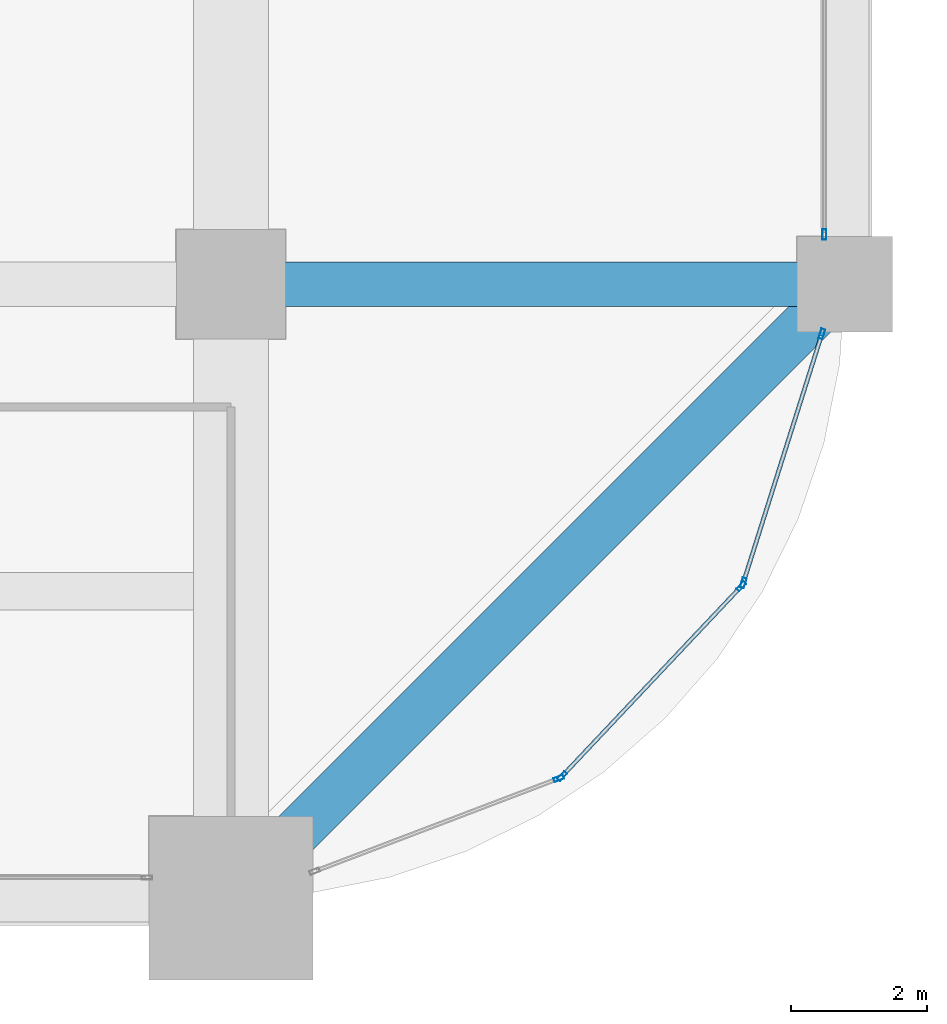
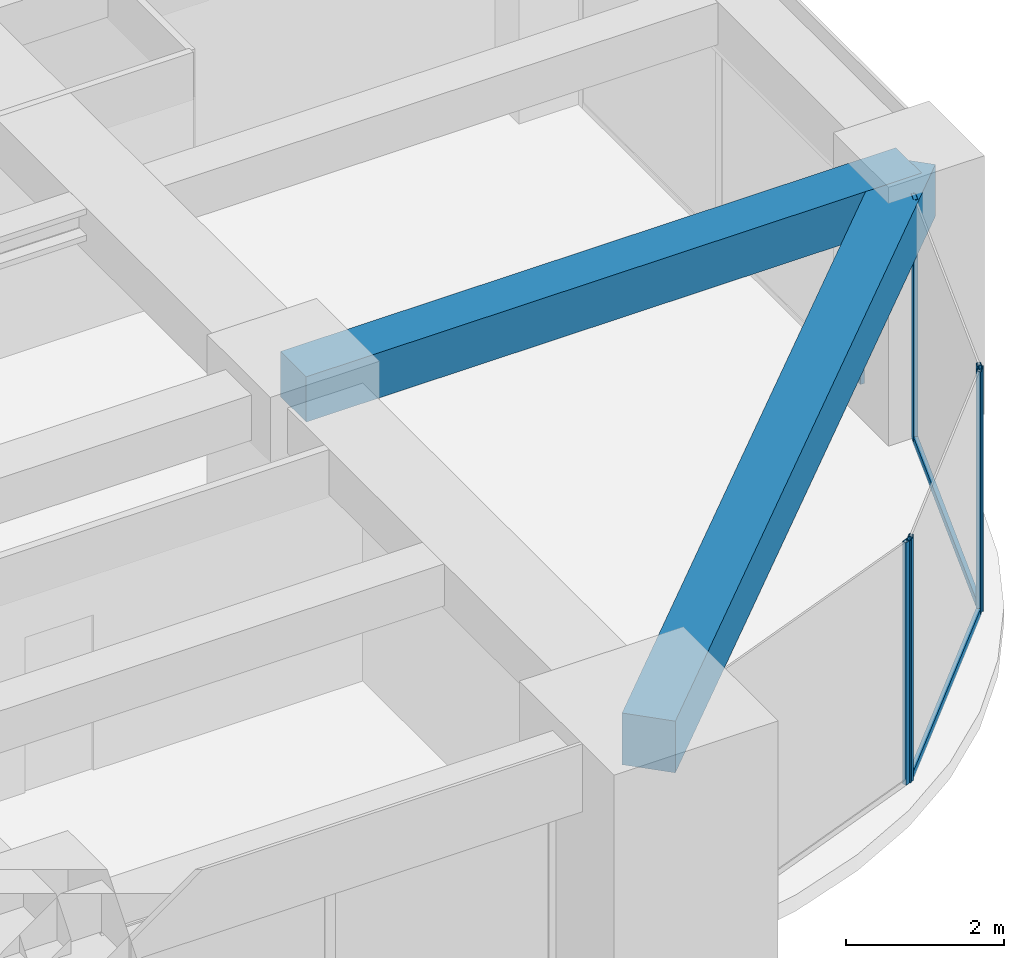
# One storey, part 16 of 34: 8 members, 2 beams, 4 elements without a shape of their own.
"""IFC4 building model written with IfcOpenShell, lengths in metres."""

from ifc_helpers import new_model, si_unit, direction, frame, origin, origin_2d, place, context, subcontext, project, spatial, rectangle, hollow_rectangle, extrude, material, material_profile, profile_set, type_object, element, aggregate, save


model = new_model("IFC4")

# Units and contexts
model_context = context("Model", 3, precision=1e-05, world=origin(), true_north=direction((0.0, 1.0)))
body_context = subcontext(model_context, "Body", "Model", "MODEL_VIEW")
ifc_project = project(units=[si_unit("LENGTHUNIT", "METRE"), si_unit("AREAUNIT", "SQUARE_METRE"), si_unit("VOLUMEUNIT", "CUBIC_METRE"), si_unit("PLANEANGLEUNIT", "RADIAN"), si_unit("MASSUNIT", "GRAM", prefix="KILO")], contexts=[model_context])

# Site, building, storey
site_placement = place(None, origin())
site = spatial("IfcSite", under=ifc_project, at=site_placement, CompositionType="ELEMENT")
building_placement = place(site_placement, origin())
building = spatial("IfcBuilding", under=site, at=building_placement, Name="Zorevar Civic Tower", CompositionType="ELEMENT")
storey_placement = place(building_placement, frame((0.0, 0.0, 170.199951171875)))
storey = spatial("IfcBuildingStorey", under=building, at=storey_placement, Name="L41", CompositionType="ELEMENT", Elevation=170.199951171875)

# Beam
ifc_material_1 = material(Name="Concrete C50/60", Category="concrete")
ifc_material_profile_1 = material_profile(ifc_material_1, rectangle(XDim=0.64990234375, YDim=0.699951171875, at=origin_2d()), Name="RC 650x700")
ifc_profile_set_1 = profile_set([ifc_material_profile_1], Name="Concrete C50/60")
beam_type_1 = type_object("IfcBeamType", Name="Beam RC 650x700", PredefinedType="BEAM", material=ifc_profile_set_1)
beam_1_placement = place(storey_placement, frame((45.0, 9.0, 3.400146484375), z_axis=(1.0, 0.0, 0.0), x_axis=(0.0, 1.0, 0.0)))
element("IfcBeam", 1, at=beam_1_placement, inside=storey, type_object=beam_type_1, Name="Girder L42", PredefinedType="BEAM", context=body_context, shape_type="SweptSolid", body=[
    extrude(rectangle(XDim=0.64990234375, YDim=0.699951171875, at=origin_2d()), origin(), (0.0, 0.0, 1.0), 9.0),
])

# Curtain wall, member
ifc_material_2 = material(Name="Dark grey solar-control glass in black aluminium frame", Category="aluminium")
curtain_wall_type = type_object("IfcCurtainWallType", Name="Curtain wall CW4 high zone", PredefinedType="NOTDEFINED", material=ifc_material_2)
curtain_wall_1_placement = place(storey_placement, origin())
curtain_wall_1 = element("IfcCurtainWall", 2, at=curtain_wall_1_placement, inside=storey, type_object=curtain_wall_type, Name="CW4 L41", PredefinedType="NOTDEFINED")
ifc_material_3 = material(Name="Aluminium, black anodised", Category="aluminium")
ifc_material_profile_2 = material_profile(ifc_material_3, hollow_rectangle(XDim=0.06005859375, YDim=0.14990234375, WallThickness=0.00390625, at=origin_2d()), Name="AL 150x60x4")
ifc_profile_set_2 = profile_set([ifc_material_profile_2], Name="Aluminium, black anodised")
member_type_1 = type_object("IfcMemberType", Name="CW4 mullion AL 150x60x4", PredefinedType="MULLION", material=ifc_profile_set_2)
member_1_placement = place(storey_placement, frame((53.699951171875, 9.72998046875, 0.0), z_axis=(0.0, 0.0, 1.0), x_axis=(-1.0, 0.0, 0.0)))
member_1 = element("IfcMember", 3, at=member_1_placement, type_object=member_type_1, Name="CW4 mullion 1", PredefinedType="MULLION", context=body_context, shape_type="SweptSolid", body=[
    extrude(hollow_rectangle(XDim=0.06005859375, YDim=0.14990234375, WallThickness=0.00390625, at=origin_2d()), origin(), (0.0, 0.0, 1.0), 2.949951171875),
])
aggregate(curtain_wall_1, [member_1])

curtain_wall_2_placement = place(storey_placement, origin())
curtain_wall_2 = element("IfcCurtainWall", 4, at=curtain_wall_2_placement, inside=storey, type_object=curtain_wall_type, Name="CW4 L41", PredefinedType="NOTDEFINED")
member_2_placement = place(storey_placement, frame((49.804931640625, 1.75537109375, 0.0), z_axis=(0.0, 0.0, 1.0), x_axis=(-0.355730895803, 0.93458842801, 0.0)))
member_2 = element("IfcMember", 5, at=member_2_placement, type_object=member_type_1, Name="CW4 mullion 2", PredefinedType="MULLION", context=body_context, shape_type="SweptSolid", body=[
    extrude(hollow_rectangle(XDim=0.06005859375, YDim=0.14990234375, WallThickness=0.00390625, at=origin_2d()), origin(), (0.0, 0.0, 1.0), 3.75),
])
aggregate(curtain_wall_2, [member_2])

# Curtain wall, members
curtain_wall_3_placement = place(storey_placement, origin())
curtain_wall_3 = element("IfcCurtainWall", 6, at=curtain_wall_3_placement, inside=storey, type_object=curtain_wall_type, Name="CW4 L41", PredefinedType="NOTDEFINED")
member_3_placement = place(storey_placement, frame((49.853759765625, 1.787841796875, 0.0), z_axis=(0.0, 0.0, 1.0), x_axis=(-0.727245053898, 0.686377907265, 0.0)))
member_3 = element("IfcMember", 7, at=member_3_placement, type_object=member_type_1, Name="CW4 mullion 1", PredefinedType="MULLION", context=body_context, shape_type="SweptSolid", body=[
    extrude(hollow_rectangle(XDim=0.06005859375, YDim=0.14990234375, WallThickness=0.00390625, at=origin_2d()), origin(), (0.0, 0.0, 1.0), 3.75),
])
member_4_placement = place(storey_placement, frame((52.480712890625, 4.5712890625, 0.0), z_axis=(0.0, 0.0, 1.0), x_axis=(-0.727245053898, 0.686377907265, 0.0)))
member_4 = element("IfcMember", 8, at=member_4_placement, type_object=member_type_1, Name="CW4 mullion 2", PredefinedType="MULLION", context=body_context, shape_type="SweptSolid", body=[
    extrude(hollow_rectangle(XDim=0.06005859375, YDim=0.14990234375, WallThickness=0.00390625, at=origin_2d()), origin(), (0.0, 0.0, 1.0), 3.75),
])

curtain_wall_4_placement = place(storey_placement, origin())
curtain_wall_4 = element("IfcCurtainWall", 9, at=curtain_wall_4_placement, inside=storey, type_object=curtain_wall_type, Name="CW4 L41", PredefinedType="NOTDEFINED")
member_5_placement = place(storey_placement, frame((52.51025390625, 4.62158203125, 0.0), z_axis=(0.0, 0.0, 1.0), x_axis=(-0.953589950678, 0.301108296077, 0.0)))
member_5 = element("IfcMember", 10, at=member_5_placement, type_object=member_type_1, Name="CW4 mullion 1", PredefinedType="MULLION", context=body_context, shape_type="SweptSolid", body=[
    extrude(hollow_rectangle(XDim=0.06005859375, YDim=0.14990234375, WallThickness=0.00390625, at=origin_2d()), origin(), (0.0, 0.0, 1.0), 3.75),
])
member_6_placement = place(storey_placement, frame((53.66259765625, 8.271484375, 0.0), z_axis=(0.0, 0.0, 1.0), x_axis=(-0.953589950678, 0.301108296077, 0.0)))
member_6 = element("IfcMember", 11, at=member_6_placement, type_object=member_type_1, Name="CW4 mullion 2", PredefinedType="MULLION", context=body_context, shape_type="SweptSolid", body=[
    extrude(hollow_rectangle(XDim=0.06005859375, YDim=0.14990234375, WallThickness=0.00390625, at=origin_2d()), origin(), (0.0, 0.0, 1.0), 3.75),
])

# Member
ifc_material_4 = material(Name="Aluminium, black anodised", Category="aluminium")
ifc_material_profile_3 = material_profile(ifc_material_4, hollow_rectangle(XDim=0.06005859375, YDim=0.1201171875, WallThickness=0.0029296875, at=origin_2d()), Name="AL 120x60x3")
ifc_profile_set_3 = profile_set([ifc_material_profile_3], Name="Aluminium, black anodised")
member_type_2 = type_object("IfcMemberType", Name="CW4 transom AL 120x60x3", PredefinedType="USERDEFINED", material=ifc_profile_set_3)
member_7_placement = place(storey_placement, frame((49.874267578125, 1.8095703125, 0.030029296875), z_axis=(0.686332338526, 0.727288059227, 0.0), x_axis=(-0.727288059227, 0.686332338526, 0.0)))
member_7 = element("IfcMember", 12, at=member_7_placement, type_object=member_type_2, Name="CW4 sill transom", ObjectType="TRANSOM", PredefinedType="USERDEFINED", context=body_context, shape_type="SweptSolid", body=[
    extrude(hollow_rectangle(XDim=0.06005859375, YDim=0.1201171875, WallThickness=0.0029296875, at=origin_2d()), origin(), (0.0, 0.0, 1.0), 3.767333984375),
])

aggregate(curtain_wall_3, [member_3, member_4, member_7])

member_8_placement = place(storey_placement, frame((52.519287109375, 4.650390625, 0.030029296875), z_axis=(0.301100351109, 0.953592459367, 0.0), x_axis=(-0.953592459367, 0.301100351109, 0.0)))
member_8 = element("IfcMember", 13, at=member_8_placement, type_object=member_type_2, Name="CW4 sill transom", ObjectType="TRANSOM", PredefinedType="USERDEFINED", context=body_context, shape_type="SweptSolid", body=[
    extrude(hollow_rectangle(XDim=0.06005859375, YDim=0.1201171875, WallThickness=0.0029296875, at=origin_2d()), origin(), (0.0, 0.0, 1.0), 3.76708984375),
])

aggregate(curtain_wall_4, [member_5, member_6, member_8])

# Beam
ifc_material_5 = material(Name="Concrete C50/60", Category="concrete")
ifc_material_profile_4 = material_profile(ifc_material_5, rectangle(XDim=0.699951171875, YDim=0.800048828125, at=origin_2d()), Name="RC 700x800")
ifc_profile_set_4 = profile_set([ifc_material_profile_4], Name="Concrete C50/60")
beam_type_2 = type_object("IfcBeamType", Name="Edge beam RC 700x800", PredefinedType="SPANDREL", material=ifc_profile_set_4)
beam_2_placement = place(storey_placement, frame((45.0, 0.0, 3.35009765625), z_axis=(0.707106781187, 0.707106781187, 0.0), x_axis=(-0.707106781187, 0.707106781187, 0.0)))
element("IfcBeam", 14, at=beam_2_placement, inside=storey, type_object=beam_type_2, Name="Corner edge beam L42", PredefinedType="SPANDREL", context=body_context, shape_type="SweptSolid", body=[
    extrude(rectangle(XDim=0.699951171875, YDim=0.800048828125, at=origin_2d()), origin(), (0.0, 0.0, 1.0), 12.72802734375),
])

save(model, "model.ifc")
